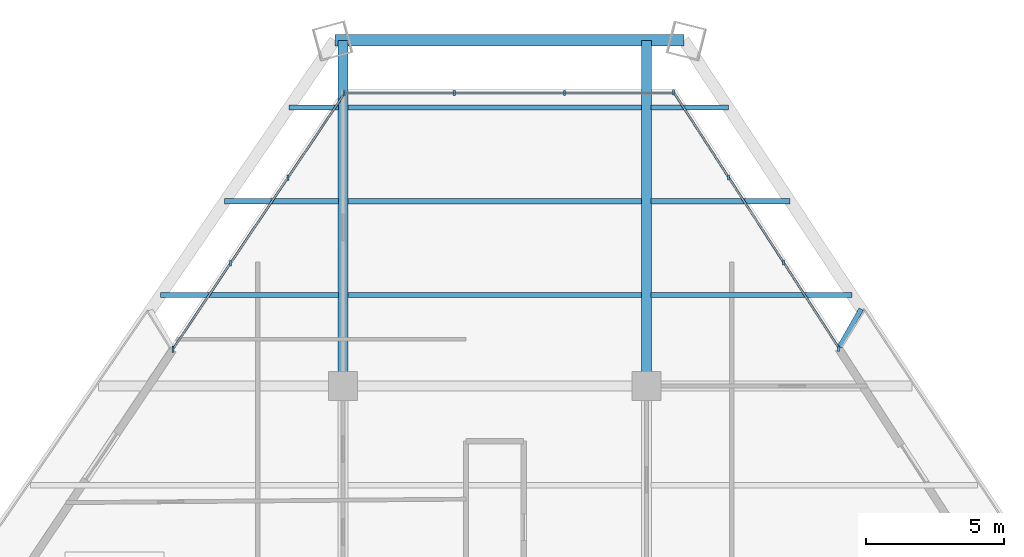
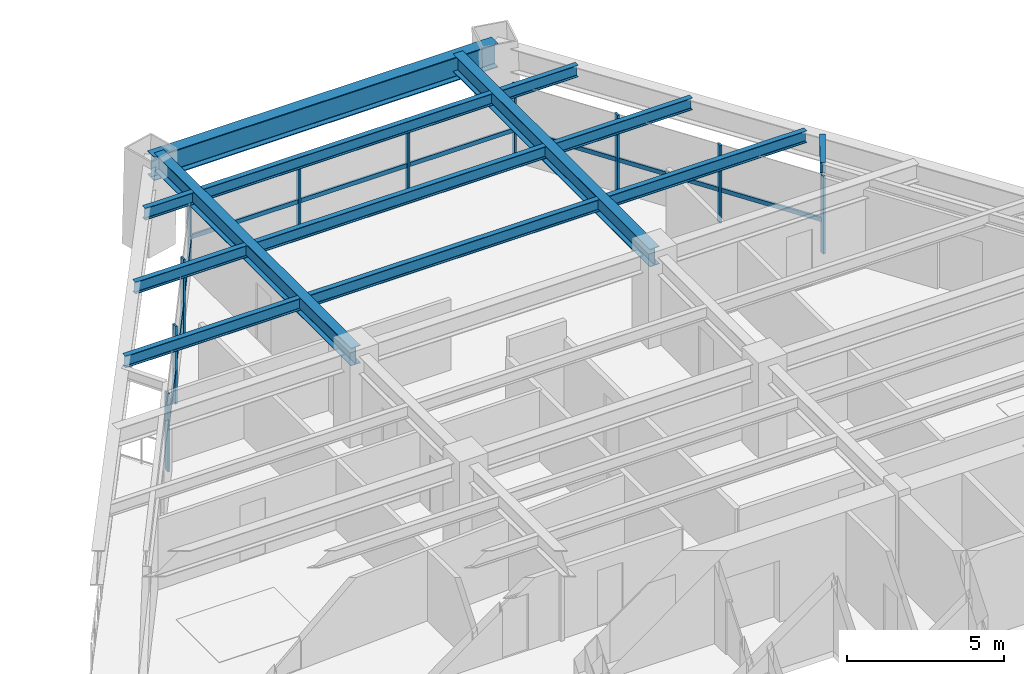
# One storey, part 8 of 14: 20 members, 13 beams, 3 elements without a shape of their own.
"""IFC4 building model written with IfcOpenShell, lengths in metres."""

from ifc_helpers import new_model, si_unit, direction, frame, origin, origin_2d, place, context, subcontext, project, spatial, rectangle, i_section, extrude, source, transform, mapped, material, material_profile, profile_set, type_object, type_shapes, element, aggregate, save


model = new_model("IFC4")

# Units and contexts
model_context = context("Model", 3, precision=1e-05, world=origin(), true_north=direction((0.0, 1.0)))
body_context = subcontext(model_context, "Body", "Model", "MODEL_VIEW")
ifc_project = project(units=[si_unit("LENGTHUNIT", "METRE"), si_unit("AREAUNIT", "SQUARE_METRE"), si_unit("VOLUMEUNIT", "CUBIC_METRE"), si_unit("PLANEANGLEUNIT", "RADIAN"), si_unit("MASSUNIT", "GRAM", prefix="KILO")], contexts=[model_context])

# Site, building, storey
site_placement = place(None, origin())
site = spatial("IfcSite", under=ifc_project, at=site_placement, CompositionType="ELEMENT")
building_placement = place(site_placement, origin())
building = spatial("IfcBuilding", under=site, at=building_placement, Name="Varnakhor Terracotta Tower", CompositionType="ELEMENT")
storey_placement = place(building_placement, frame((0.0, 0.0, 98.800048828125)))
storey = spatial("IfcBuildingStorey", under=building, at=storey_placement, Name="L24", CompositionType="ELEMENT", Elevation=98.800048828125)

# Beams
ifc_material_1 = material(Name="Steel S355", Category="steel")
ifc_material_profile_1 = material_profile(ifc_material_1, i_section(OverallWidth=0.19189453125, OverallDepth=0.462890625, WebThickness=0.010498046875, FlangeThickness=0.017578125, FilletRadius=0.01806640625, at=origin_2d()), Name="W18X60")
ifc_profile_set_1 = profile_set([ifc_material_profile_1], Name="Steel S355")
beam_type_1 = type_object("IfcBeamType", Name="JST-W18X60", PredefinedType="JOIST", material=ifc_profile_set_1)
shared_shape_1 = source(origin(), body_context, "Body", "SweptSolid", [
    extrude(i_section(OverallWidth=0.19189453125, OverallDepth=0.462890625, WebThickness=0.010498046875, FlangeThickness=0.017578125, FilletRadius=0.01806640625, at=origin_2d()), origin(), (0.0, 0.0, 1.0), 10.65283203125),
])
for number, where, z_axis, x_axis, name in (
    (1, (-5.326416015625, 34.800048828125, 3.218505859375), (1.0, 0.0, 0.0), (0.0, 1.0, 0.0), "L24 Composite Floor Joist 7-2"),
    (2, (-5.326416015625, 38.199951171875, 3.218505859375), (1.0, 0.0, 0.0), (0.0, 1.0, 0.0), "L24 Composite Floor Joist 8-2"),
    (3, (-5.326416015625, 41.60009765625, 3.218505859375), (1.0, 0.0, 0.0), (0.0, 1.0, 0.0), "L24 Composite Floor Joist 9-2"),
):
    element("IfcBeam", number, at=place(storey_placement, frame(where, z_axis=z_axis, x_axis=x_axis)), inside=storey, type_object=beam_type_1, Name=name, PredefinedType="JOIST", context=body_context, shape_type="MappedRepresentation", body=[
        mapped(shared_shape_1, transform((0.0, 0.0, 0.0), scale=1.0)),
    ])
ifc_material_profile_2 = material_profile(ifc_material_1, i_section(OverallWidth=0.41796875, OverallDepth=0.927001953125, WebThickness=0.01904296875, FlangeThickness=0.031982421875, FilletRadius=0.01806640625, at=origin_2d()), Name="W36X231")
ifc_profile_set_2 = profile_set([ifc_material_profile_2], Name="Steel S355")
beam_type_2 = type_object("IfcBeamType", Name="BM-W36X231", PredefinedType="BEAM", material=ifc_profile_set_2)
shared_shape_2 = source(origin(), body_context, "Body", "SweptSolid", [
    extrude(i_section(OverallWidth=0.41796875, OverallDepth=0.927001953125, WebThickness=0.01904296875, FlangeThickness=0.031982421875, FilletRadius=0.01806640625, at=origin_2d()), origin(), (0.0, 0.0, 1.0), 12.656494140625),
])
beam_1_placement = place(storey_placement, frame((6.857421875, 44.041015625, 2.986572265625), z_axis=(-1.0, 0.0, 0.0), x_axis=(0.0, -1.0, 0.0)))
element("IfcBeam", 4, at=beam_1_placement, inside=storey, type_object=beam_type_2, Name="L24 Perimeter Spandrel 5", PredefinedType="BEAM", context=body_context, shape_type="MappedRepresentation", body=[
    mapped(shared_shape_2, transform((0.0, 0.0, 0.0), scale=1.0)),
])
ifc_material_profile_3 = material_profile(ifc_material_1, i_section(OverallWidth=0.35498046875, OverallDepth=0.695068359375, WebThickness=0.014892578125, FlangeThickness=0.02490234375, FilletRadius=0.01806640625, at=origin_2d()), Name="W27X146")
ifc_profile_set_3 = profile_set([ifc_material_profile_3], Name="Steel S355")
beam_type_3 = type_object("IfcBeamType", Name="BM-W27X146", PredefinedType="BEAM", material=ifc_profile_set_3)
shared_shape_3 = source(origin(), body_context, "Body", "SweptSolid", [
    extrude(i_section(OverallWidth=0.35498046875, OverallDepth=0.695068359375, WebThickness=0.014892578125, FlangeThickness=0.02490234375, FilletRadius=0.01806640625, at=origin_2d()), origin(), (0.0, 0.0, 1.0), 12.541015625),
])
for number, where, z_axis, x_axis, name in (
    (5, (-5.5, 31.5, 3.1025390625), (0.0, 1.0, 0.0), (-1.0, 0.0, 0.0), "L24 Primary Girder NS3-W"),
    (6, (5.5, 31.5, 3.1025390625), (0.0, 1.0, 0.0), (-1.0, 0.0, 0.0), "L24 Primary Girder NS3-E"),
):
    element("IfcBeam", number, at=place(storey_placement, frame(where, z_axis=z_axis, x_axis=x_axis)), inside=storey, type_object=beam_type_3, Name=name, PredefinedType="BEAM", context=body_context, shape_type="MappedRepresentation", body=[
        mapped(shared_shape_3, transform((0.0, 0.0, 0.0), scale=1.0)),
    ])
shared_shape_4 = source(origin(), body_context, "Body", "SweptSolid", [
    extrude(i_section(OverallWidth=0.19189453125, OverallDepth=0.462890625, WebThickness=0.010498046875, FlangeThickness=0.017578125, FilletRadius=0.01806640625, at=origin_2d()), origin(), (0.0, 0.0, 1.0), 6.447021484375),
])
beam_2_placement = place(storey_placement, frame((-12.12060546875, 34.800048828125, 3.218505859375), z_axis=(1.0, 0.0, 0.0), x_axis=(0.0, 1.0, 0.0)))
element("IfcBeam", 7, at=beam_2_placement, inside=storey, type_object=beam_type_1, Name="L24 Composite Floor Joist 7-1", PredefinedType="JOIST", context=body_context, shape_type="MappedRepresentation", body=[
    mapped(shared_shape_4, transform((0.0, 0.0, 0.0), scale=1.0)),
])
shared_shape_5 = source(origin(), body_context, "Body", "SweptSolid", [
    extrude(i_section(OverallWidth=0.19189453125, OverallDepth=0.462890625, WebThickness=0.010498046875, FlangeThickness=0.017578125, FilletRadius=0.01806640625, at=origin_2d()), origin(), (0.0, 0.0, 1.0), 7.283203125),
])
beam_3_placement = place(storey_placement, frame((5.673583984375, 34.800048828125, 3.218505859375), z_axis=(1.0, 0.0, 0.0), x_axis=(0.0, 1.0, 0.0)))
element("IfcBeam", 8, at=beam_3_placement, inside=storey, type_object=beam_type_1, Name="L24 Composite Floor Joist 7-3", PredefinedType="JOIST", context=body_context, shape_type="MappedRepresentation", body=[
    mapped(shared_shape_5, transform((0.0, 0.0, 0.0), scale=1.0)),
])
shared_shape_6 = source(origin(), body_context, "Body", "SweptSolid", [
    extrude(i_section(OverallWidth=0.19189453125, OverallDepth=0.462890625, WebThickness=0.010498046875, FlangeThickness=0.017578125, FilletRadius=0.01806640625, at=origin_2d()), origin(), (0.0, 0.0, 1.0), 4.121337890625),
])
beam_4_placement = place(storey_placement, frame((-9.794921875, 38.199951171875, 3.218505859375), z_axis=(1.0, 0.0, 0.0), x_axis=(0.0, 1.0, 0.0)))
element("IfcBeam", 9, at=beam_4_placement, inside=storey, type_object=beam_type_1, Name="L24 Composite Floor Joist 8-1", PredefinedType="JOIST", context=body_context, shape_type="MappedRepresentation", body=[
    mapped(shared_shape_6, transform((0.0, 0.0, 0.0), scale=1.0)),
])
shared_shape_7 = source(origin(), body_context, "Body", "SweptSolid", [
    extrude(i_section(OverallWidth=0.19189453125, OverallDepth=0.462890625, WebThickness=0.010498046875, FlangeThickness=0.017578125, FilletRadius=0.01806640625, at=origin_2d()), origin(), (0.0, 0.0, 1.0), 5.039306640625),
])
beam_5_placement = place(storey_placement, frame((5.673583984375, 38.199951171875, 3.218505859375), z_axis=(1.0, 0.0, 0.0), x_axis=(0.0, 1.0, 0.0)))
element("IfcBeam", 10, at=beam_5_placement, inside=storey, type_object=beam_type_1, Name="L24 Composite Floor Joist 8-3", PredefinedType="JOIST", context=body_context, shape_type="MappedRepresentation", body=[
    mapped(shared_shape_7, transform((0.0, 0.0, 0.0), scale=1.0)),
])
shared_shape_8 = source(origin(), body_context, "Body", "SweptSolid", [
    extrude(i_section(OverallWidth=0.19189453125, OverallDepth=0.462890625, WebThickness=0.010498046875, FlangeThickness=0.017578125, FilletRadius=0.01806640625, at=origin_2d()), origin(), (0.0, 0.0, 1.0), 1.79541015625),
])
beam_6_placement = place(storey_placement, frame((-7.468994140625, 41.60009765625, 3.218505859375), z_axis=(1.0, 0.0, 0.0), x_axis=(0.0, 1.0, 0.0)))
element("IfcBeam", 11, at=beam_6_placement, inside=storey, type_object=beam_type_1, Name="L24 Composite Floor Joist 9-1", PredefinedType="JOIST", context=body_context, shape_type="MappedRepresentation", body=[
    mapped(shared_shape_8, transform((0.0, 0.0, 0.0), scale=1.0)),
])
shared_shape_9 = source(origin(), body_context, "Body", "SweptSolid", [
    extrude(i_section(OverallWidth=0.19189453125, OverallDepth=0.462890625, WebThickness=0.010498046875, FlangeThickness=0.017578125, FilletRadius=0.01806640625, at=origin_2d()), origin(), (0.0, 0.0, 1.0), 2.794921875),
])
beam_7_placement = place(storey_placement, frame((5.673583984375, 41.60009765625, 3.218505859375), z_axis=(1.0, 0.0, 0.0), x_axis=(0.0, 1.0, 0.0)))
element("IfcBeam", 12, at=beam_7_placement, inside=storey, type_object=beam_type_1, Name="L24 Composite Floor Joist 9-3", PredefinedType="JOIST", context=body_context, shape_type="MappedRepresentation", body=[
    mapped(shared_shape_9, transform((0.0, 0.0, 0.0), scale=1.0)),
])

# Curtain wall, members
ifc_material_2 = material(Name="Anodised Aluminium Curtain Wall System", Category="aluminium")
curtain_wall_type = type_object("IfcCurtainWallType", Name="CW-SYS-LOW-OFFICE", PredefinedType="NOTDEFINED", material=ifc_material_2)
curtain_wall_1_placement = place(storey_placement, origin())
curtain_wall_1 = element("IfcCurtainWall", 13, at=curtain_wall_1_placement, inside=storey, type_object=curtain_wall_type, Name="L24 W Facet Curtain Wall 2", PredefinedType="NOTDEFINED")
ifc_material_3 = material(Name="Anodised Aluminium 6063-T6", Category="aluminium")
ifc_material_profile_4 = material_profile(ifc_material_3, rectangle(XDim=0.074951171875, YDim=0.18505859375, at=origin_2d()), Name="ALU MULLION 75x185")
ifc_profile_set_4 = profile_set([ifc_material_profile_4], Name="Anodised Aluminium 6063-T6")
member_type_1 = type_object("IfcMemberType", Name="CWM-02", PredefinedType="MULLION", material=ifc_profile_set_4)
shared_shape_10 = source(origin(), body_context, "Body", "SweptSolid", [
    extrude(rectangle(XDim=0.074951171875, YDim=0.18505859375, at=origin_2d()), origin(), (0.0, 0.0, 1.0), 3.030029296875),
])
type_shapes(member_type_1, [shared_shape_10])
member_1_placement = place(storey_placement, frame((-11.667236328125, 32.852294921875, 0.0), z_axis=(0.0, 0.0, 1.0), x_axis=(1.0, 0.0, 0.0)))
member_1 = element("IfcMember", 14, at=member_1_placement, type_object=member_type_1, Name="L24 W Facet Curtain Wall 2 Mullion 1", PredefinedType="MULLION", context=body_context, shape_type="MappedRepresentation", body=[
    mapped(shared_shape_10, transform((0.0, 0.0, 0.0), scale=1.0)),
])
member_2_placement = place(storey_placement, frame((-9.585693359375, 35.953369140625, 0.0), z_axis=(0.0, 0.0, 1.0), x_axis=(1.0, 0.0, 0.0)))
member_2 = element("IfcMember", 15, at=member_2_placement, type_object=member_type_1, Name="L24 W Facet Curtain Wall 2 Mullion 2", PredefinedType="MULLION", context=body_context, shape_type="MappedRepresentation", body=[
    mapped(shared_shape_10, transform((0.0, 0.0, 0.0), scale=1.0)),
])
member_3_placement = place(storey_placement, frame((-7.50390625, 39.0546875, 0.0), z_axis=(0.0, 0.0, 1.0), x_axis=(1.0, 0.0, 0.0)))
member_3 = element("IfcMember", 16, at=member_3_placement, type_object=member_type_1, Name="L24 W Facet Curtain Wall 2 Mullion 3", PredefinedType="MULLION", context=body_context, shape_type="MappedRepresentation", body=[
    mapped(shared_shape_10, transform((0.0, 0.0, 0.0), scale=1.0)),
])
member_4_placement = place(storey_placement, frame((-11.66748046875, 32.816162109375, 0.0), z_axis=(0.0, 0.0, 1.0), x_axis=(1.0, 0.0, 0.0)))
member_4 = element("IfcMember", 17, at=member_4_placement, type_object=member_type_1, Name="L24 W Loggia Jamb Closure Mullion 2", PredefinedType="MULLION", context=body_context, shape_type="MappedRepresentation", body=[
    mapped(shared_shape_10, transform((0.0, 0.0, 0.0), scale=1.0)),
])

curtain_wall_2_placement = place(storey_placement, origin())
curtain_wall_2 = element("IfcCurtainWall", 18, at=curtain_wall_2_placement, inside=storey, type_object=curtain_wall_type, Name="L24 Facet Curtain Wall 2", PredefinedType="NOTDEFINED")
member_5_placement = place(storey_placement, frame((-5.475341796875, 42.127685546875, 0.0), z_axis=(0.0, 0.0, 1.0), x_axis=(1.0, 0.0, 0.0)))
member_5 = element("IfcMember", 19, at=member_5_placement, type_object=member_type_1, Name="L24 Facet Curtain Wall 2 Mullion 1", PredefinedType="MULLION", context=body_context, shape_type="MappedRepresentation", body=[
    mapped(shared_shape_10, transform((0.0, 0.0, 0.0), scale=1.0)),
])
member_6_placement = place(storey_placement, frame((-1.469970703125, 42.127685546875, 0.0), z_axis=(0.0, 0.0, 1.0), x_axis=(1.0, 0.0, 0.0)))
member_6 = element("IfcMember", 20, at=member_6_placement, type_object=member_type_1, Name="L24 Facet Curtain Wall 2 Mullion 2", PredefinedType="MULLION", context=body_context, shape_type="MappedRepresentation", body=[
    mapped(shared_shape_10, transform((0.0, 0.0, 0.0), scale=1.0)),
])
member_7_placement = place(storey_placement, frame((2.535400390625, 42.127685546875, 0.0), z_axis=(0.0, 0.0, 1.0), x_axis=(1.0, 0.0, 0.0)))
member_7 = element("IfcMember", 21, at=member_7_placement, type_object=member_type_1, Name="L24 Facet Curtain Wall 2 Mullion 3", PredefinedType="MULLION", context=body_context, shape_type="MappedRepresentation", body=[
    mapped(shared_shape_10, transform((0.0, 0.0, 0.0), scale=1.0)),
])

curtain_wall_3_placement = place(storey_placement, origin())
curtain_wall_3 = element("IfcCurtainWall", 22, at=curtain_wall_3_placement, inside=storey, type_object=curtain_wall_type, Name="L24 E Facet Curtain Wall 1", PredefinedType="NOTDEFINED")
member_8_placement = place(storey_placement, frame((6.486328125, 42.1572265625, 0.0), z_axis=(0.0, 0.0, 1.0), x_axis=(1.0, 0.0, 0.0)))
member_8 = element("IfcMember", 23, at=member_8_placement, type_object=member_type_1, Name="L24 E Facet Curtain Wall 1 Mullion 1", PredefinedType="MULLION", context=body_context, shape_type="MappedRepresentation", body=[
    mapped(shared_shape_10, transform((0.0, 0.0, 0.0), scale=1.0)),
])
member_9_placement = place(storey_placement, frame((8.482177734375, 39.068115234375, 0.0), z_axis=(0.0, 0.0, 1.0), x_axis=(1.0, 0.0, 0.0)))
member_9 = element("IfcMember", 24, at=member_9_placement, type_object=member_type_1, Name="L24 E Facet Curtain Wall 1 Mullion 2", PredefinedType="MULLION", context=body_context, shape_type="MappedRepresentation", body=[
    mapped(shared_shape_10, transform((0.0, 0.0, 0.0), scale=1.0)),
])
member_10_placement = place(storey_placement, frame((10.477783203125, 35.978759765625, 0.0), z_axis=(0.0, 0.0, 1.0), x_axis=(1.0, 0.0, 0.0)))
member_10 = element("IfcMember", 25, at=member_10_placement, type_object=member_type_1, Name="L24 E Facet Curtain Wall 1 Mullion 3", PredefinedType="MULLION", context=body_context, shape_type="MappedRepresentation", body=[
    mapped(shared_shape_10, transform((0.0, 0.0, 0.0), scale=1.0)),
])
member_11_placement = place(storey_placement, frame((12.472900390625, 32.853515625, 0.0), z_axis=(0.0, 0.0, 1.0), x_axis=(1.0, 0.0, 0.0)))
member_11 = element("IfcMember", 26, at=member_11_placement, type_object=member_type_1, Name="L24 E Loggia Jamb Closure Mullion 1", PredefinedType="MULLION", context=body_context, shape_type="MappedRepresentation", body=[
    mapped(shared_shape_10, transform((0.0, 0.0, 0.0), scale=1.0)),
])
ifc_material_profile_5 = material_profile(ifc_material_3, rectangle(XDim=0.074951171875, YDim=0.1650390625, at=origin_2d()), Name="ALU TRANSOM 75x165")
ifc_profile_set_5 = profile_set([ifc_material_profile_5], Name="Anodised Aluminium 6063-T6")
member_type_2 = type_object("IfcMemberType", Name="CWT-02", PredefinedType="USERDEFINED", material=ifc_profile_set_5)
shared_shape_11 = source(origin(), body_context, "Body", "SweptSolid", [
    extrude(rectangle(XDim=0.074951171875, YDim=0.1650390625, at=origin_2d()), origin(), (0.0, 0.0, 1.0), 3.677734375),
])
member_12_placement = place(storey_placement, frame((6.486328125, 42.1572265625, 1.2724609375), z_axis=(0.542678641468, -0.839940409847, 0.0), x_axis=(0.839940409847, 0.542678641468, 0.0)))
member_12 = element("IfcMember", 27, at=member_12_placement, type_object=member_type_2, Name="L24 E Facet Curtain Wall 1 Transom 1", ObjectType="TRANSOM", PredefinedType="USERDEFINED", context=body_context, shape_type="MappedRepresentation", body=[
    mapped(shared_shape_11, transform((0.0, 0.0, 0.0), scale=1.0)),
])
member_13_placement = place(storey_placement, frame((8.482177734375, 39.068115234375, 1.2724609375), z_axis=(0.542601549296, -0.839990213456, 0.0), x_axis=(0.839990213456, 0.542601549296, 0.0)))
member_13 = element("IfcMember", 28, at=member_13_placement, type_object=member_type_2, Name="L24 E Facet Curtain Wall 1 Transom 2", ObjectType="TRANSOM", PredefinedType="USERDEFINED", context=body_context, shape_type="MappedRepresentation", body=[
    mapped(shared_shape_11, transform((0.0, 0.0, 0.0), scale=1.0)),
])
member_14_placement = place(storey_placement, frame((10.477783203125, 35.978759765625, 1.2724609375), z_axis=(0.542631805944, -0.839970668046, 0.0), x_axis=(0.839970668046, 0.542631805944, 0.0)))
member_14 = element("IfcMember", 29, at=member_14_placement, type_object=member_type_2, Name="L24 E Facet Curtain Wall 1 Transom 3", ObjectType="TRANSOM", PredefinedType="USERDEFINED", context=body_context, shape_type="MappedRepresentation", body=[
    mapped(shared_shape_11, transform((0.0, 0.0, 0.0), scale=1.0)),
])
aggregate(curtain_wall_3, [member_8, member_12, member_9, member_13, member_10, member_14, member_11])

# Member
shared_shape_12 = source(origin(), body_context, "Body", "SweptSolid", [
    extrude(rectangle(XDim=0.074951171875, YDim=0.1650390625, at=origin_2d()), origin(), (0.0, 0.0, 1.0), 3.73486328125),
])
member_15_placement = place(storey_placement, frame((-11.667236328125, 32.852294921875, 1.2724609375), z_axis=(0.557322187517, 0.830296320178, 0.0), x_axis=(-0.830296320178, 0.557322187517, 0.0)))
member_15 = element("IfcMember", 30, at=member_15_placement, type_object=member_type_2, Name="L24 W Facet Curtain Wall 2 Transom 1", ObjectType="TRANSOM", PredefinedType="USERDEFINED", context=body_context, shape_type="MappedRepresentation", body=[
    mapped(shared_shape_12, transform((0.0, 0.0, 0.0), scale=1.0)),
])

member_16_placement = place(storey_placement, frame((-7.50390625, 39.0546875, 1.2724609375), z_axis=(0.557322187517, 0.830296320178, 0.0), x_axis=(-0.830296320178, 0.557322187517, 0.0)))
member_16 = element("IfcMember", 31, at=member_16_placement, type_object=member_type_2, Name="L24 W Facet Curtain Wall 2 Transom 3", ObjectType="TRANSOM", PredefinedType="USERDEFINED", context=body_context, shape_type="MappedRepresentation", body=[
    mapped(shared_shape_12, transform((0.0, 0.0, 0.0), scale=1.0)),
])

shared_shape_13 = source(origin(), body_context, "Body", "SweptSolid", [
    extrude(rectangle(XDim=0.074951171875, YDim=0.1650390625, at=origin_2d()), origin(), (0.0, 0.0, 1.0), 3.7353515625),
])
member_17_placement = place(storey_placement, frame((-9.585693359375, 35.953369140625, 1.2724609375), z_axis=(0.557337001561, 0.830286376313, 0.0), x_axis=(-0.830286376313, 0.557337001561, 0.0)))
member_17 = element("IfcMember", 32, at=member_17_placement, type_object=member_type_2, Name="L24 W Facet Curtain Wall 2 Transom 2", ObjectType="TRANSOM", PredefinedType="USERDEFINED", context=body_context, shape_type="MappedRepresentation", body=[
    mapped(shared_shape_13, transform((0.0, 0.0, 0.0), scale=1.0)),
])

aggregate(curtain_wall_1, [member_1, member_15, member_2, member_17, member_3, member_16, member_4])

shared_shape_14 = source(origin(), body_context, "Body", "SweptSolid", [
    extrude(rectangle(XDim=0.074951171875, YDim=0.1650390625, at=origin_2d()), origin(), (0.0, 0.0, 1.0), 4.00537109375),
])
member_18_placement = place(storey_placement, frame((-5.475341796875, 42.127685546875, 1.2724609375), z_axis=(1.0, 0.0, 0.0), x_axis=(0.0, 1.0, 0.0)))
member_18 = element("IfcMember", 33, at=member_18_placement, type_object=member_type_2, Name="L24 Facet Curtain Wall 2 Transom 1", ObjectType="TRANSOM", PredefinedType="USERDEFINED", context=body_context, shape_type="MappedRepresentation", body=[
    mapped(shared_shape_14, transform((0.0, 0.0, 0.0), scale=1.0)),
])

member_19_placement = place(storey_placement, frame((-1.469970703125, 42.127685546875, 1.2724609375), z_axis=(1.0, 0.0, 0.0), x_axis=(0.0, 1.0, 0.0)))
member_19 = element("IfcMember", 34, at=member_19_placement, type_object=member_type_2, Name="L24 Facet Curtain Wall 2 Transom 2", ObjectType="TRANSOM", PredefinedType="USERDEFINED", context=body_context, shape_type="MappedRepresentation", body=[
    mapped(shared_shape_14, transform((0.0, 0.0, 0.0), scale=1.0)),
])

shared_shape_15 = source(origin(), body_context, "Body", "SweptSolid", [
    extrude(rectangle(XDim=0.074951171875, YDim=0.1650390625, at=origin_2d()), origin(), (0.0, 0.0, 1.0), 4.005615234375),
])
member_20_placement = place(storey_placement, frame((2.535400390625, 42.127685546875, 1.2724609375), z_axis=(1.0, 0.0, 0.0), x_axis=(0.0, 1.0, 0.0)))
member_20 = element("IfcMember", 35, at=member_20_placement, type_object=member_type_2, Name="L24 Facet Curtain Wall 2 Transom 3", ObjectType="TRANSOM", PredefinedType="USERDEFINED", context=body_context, shape_type="MappedRepresentation", body=[
    mapped(shared_shape_15, transform((0.0, 0.0, 0.0), scale=1.0)),
])

aggregate(curtain_wall_2, [member_5, member_18, member_6, member_19, member_7, member_20])

# Beam
ifc_material_profile_6 = material_profile(ifc_material_1, i_section(OverallWidth=0.179931640625, OverallDepth=0.39990234375, WebThickness=0.008544921875, FlangeThickness=0.013427734375, FilletRadius=0.01806640625, at=origin_2d()), Name="IPE400")
ifc_profile_set_6 = profile_set([ifc_material_profile_6], Name="Steel S355")
beam_type_4 = type_object("IfcBeamType", Name="JST-IPE400", PredefinedType="JOIST", material=ifc_profile_set_6)
shared_shape_16 = source(origin(), body_context, "Body", "SweptSolid", [
    extrude(i_section(OverallWidth=0.179931640625, OverallDepth=0.39990234375, WebThickness=0.008544921875, FlangeThickness=0.013427734375, FilletRadius=0.01806640625, at=origin_2d()), origin(), (0.0, 0.0, 1.0), 1.5888671875),
])
beam_8_placement = place(storey_placement, frame((12.5029296875, 32.913818359375, 3.25), z_axis=(0.496486414283, 0.868044492196, 0.0), x_axis=(-0.868044492196, 0.496486414283, 0.0)))
element("IfcBeam", 36, at=beam_8_placement, inside=storey, type_object=beam_type_4, Name="L25 E Loggia Tie Beam 1", PredefinedType="JOIST", context=body_context, shape_type="MappedRepresentation", body=[
    mapped(shared_shape_16, transform((0.0, 0.0, 0.0), scale=1.0)),
])

save(model, "model.ifc")
